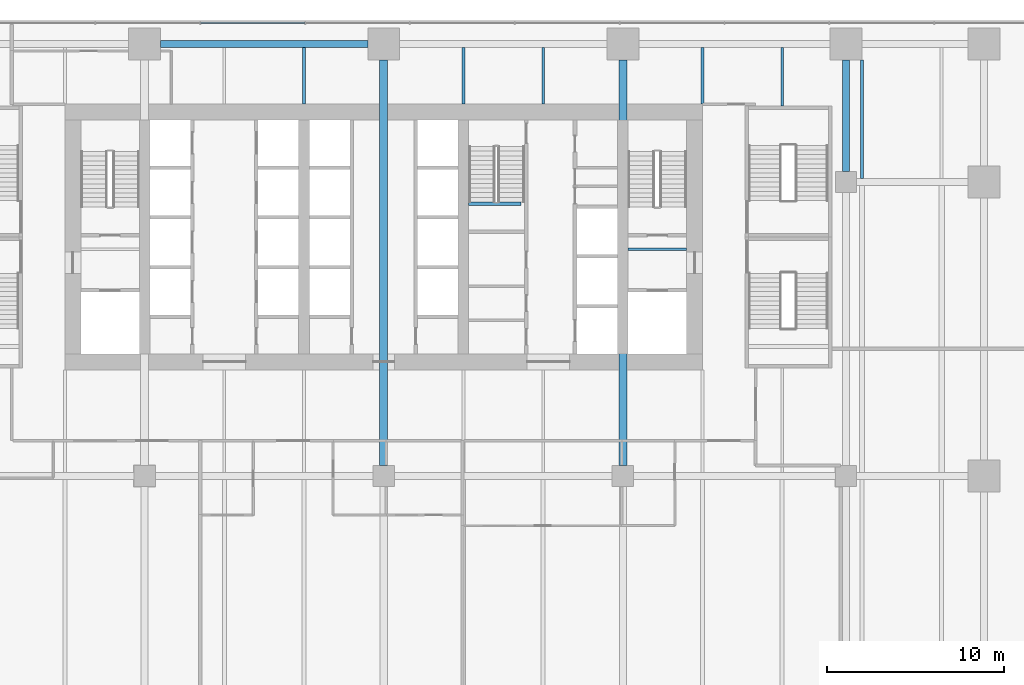
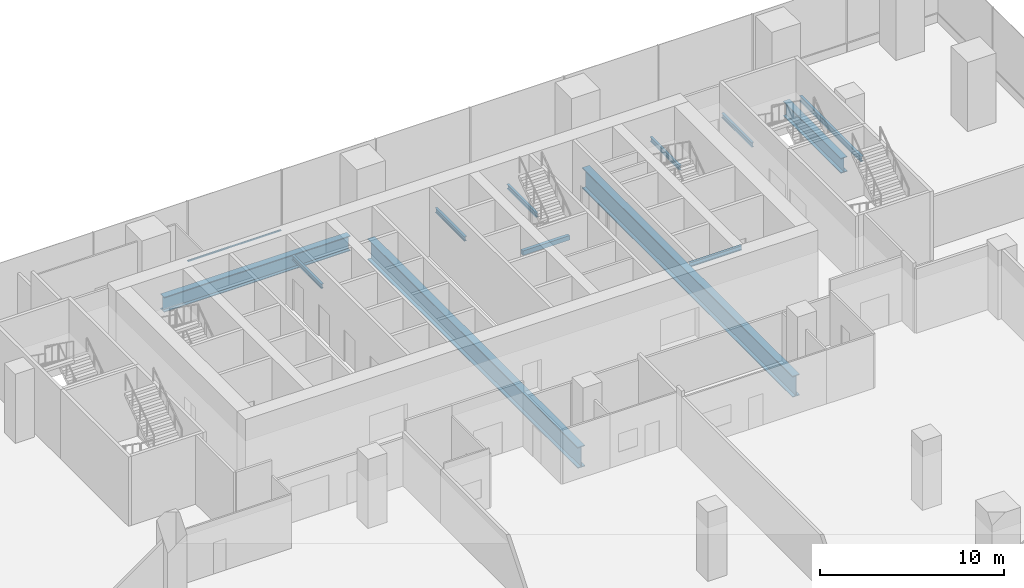
# One storey, part 12 of 28: 12 beams, 1 member, 1 element without a shape of its own.
"""IFC4 building model written with IfcOpenShell, lengths in metres."""

from ifc_helpers import new_model, si_unit, direction, frame, origin, origin_2d, place, context, subcontext, project, spatial, rectangle, i_section, extrude, material, layer, layer_set, material_profile, profile_set, type_object, element, aggregate, save


model = new_model("IFC4")

# Units and contexts
model_context = context("Model", 3, precision=1e-05, world=origin(), true_north=direction((0.0, 1.0)))
body_context = subcontext(model_context, "Body", "Model", "MODEL_VIEW")
ifc_project = project(units=[si_unit("LENGTHUNIT", "METRE"), si_unit("AREAUNIT", "SQUARE_METRE"), si_unit("VOLUMEUNIT", "CUBIC_METRE"), si_unit("PLANEANGLEUNIT", "RADIAN"), si_unit("MASSUNIT", "GRAM", prefix="KILO")], contexts=[model_context])

# Site, building, storey
site_placement = place(None, origin())
site = spatial("IfcSite", under=ifc_project, at=site_placement, CompositionType="ELEMENT")
building_placement = place(site_placement, origin())
building = spatial("IfcBuilding", under=site, at=building_placement, Name="Rattan Terrace Tower", CompositionType="ELEMENT")
storey_placement = place(building_placement, frame((0.0, 0.0, 17.39990234375)))
storey = spatial("IfcBuildingStorey", under=building, at=storey_placement, Name="L03", CompositionType="ELEMENT", Elevation=17.39990234375)

# Beams
ifc_material_1 = material(Name="Concrete C40/50", Category="concrete")
ifc_material_profile_1 = material_profile(ifc_material_1, rectangle(XDim=0.199951171875, YDim=0.300048828125, at=origin_2d()), Name="RC 200x300")
ifc_profile_set_1 = profile_set([ifc_material_profile_1], Name="Concrete C40/50")
beam_type_1 = type_object("IfcBeamType", Name="Core landing beam RC 200x300", PredefinedType="BEAM", material=ifc_profile_set_1)
beam_1_placement = place(storey_placement, frame((4.800048828125, 1.8798828125, 2.050048828125), z_axis=(1.0, 0.0, 0.0), x_axis=(0.0, 1.0, 0.0)))
element("IfcBeam", 1, at=beam_1_placement, inside=storey, type_object=beam_type_1, Name="st-S3-L03 landing 1 edge beam", PredefinedType="BEAM", context=body_context, shape_type="SweptSolid", body=[
    extrude(rectangle(XDim=0.199951171875, YDim=0.300048828125, at=origin_2d()), origin(), (0.0, 0.0, 1.0), 2.949951171875),
])
ifc_material_2 = material(Name="Steel S355", Category="steel")
ifc_material_profile_2 = material_profile(ifc_material_2, i_section(OverallWidth=0.14990234375, OverallDepth=0.300048828125, WebThickness=0.007080078125, FlangeThickness=0.0107421875, FilletRadius=0.014892578125, at=origin_2d()), Name="IPE 300")
ifc_profile_set_2 = profile_set([ifc_material_profile_2], Name="Steel S355")
beam_type_2 = type_object("IfcBeamType", Name="Frame floor beam IPE 300", PredefinedType="JOIST", material=ifc_profile_set_2)
for number, where, z_axis, x_axis, name in (
    (2, (13.800048828125, -0.695068359375, -0.349853515625), (1.0, 0.0, 0.0), (0.0, 1.0, 0.0), "bm-L03-002"),
    (3, (22.5, 7.39990234375, -0.349853515625), (0.0, 1.0, 0.0), (-1.0, 0.0, 0.0), "bm-L03-044"),
):
    element("IfcBeam", number, at=place(storey_placement, frame(where, z_axis=z_axis, x_axis=x_axis)), inside=storey, type_object=beam_type_2, Name=name, PredefinedType="JOIST", context=body_context, shape_type="SweptSolid", body=[
        extrude(i_section(OverallWidth=0.14990234375, OverallDepth=0.300048828125, WebThickness=0.007080078125, FlangeThickness=0.0107421875, FilletRadius=0.014892578125, at=origin_2d()), origin(), (0.0, 0.0, 1.0), 3.300048828125),
    ])
for number, where, z_axis, x_axis, name in (
    (4, (-4.5, 7.5, -0.349853515625), (0.0, 1.0, 0.0), (-1.0, 0.0, 0.0), "bm-L03-047"),
    (5, (4.5, 7.5, -0.349853515625), (0.0, 1.0, 0.0), (-1.0, 0.0, 0.0), "bm-L03-048"),
    (6, (9.0, 7.5, -0.349853515625), (0.0, 1.0, 0.0), (-1.0, 0.0, 0.0), "bm-L03-049"),
    (7, (18.0, 7.5, -0.349853515625), (0.0, 1.0, 0.0), (-1.0, 0.0, 0.0), "bm-L03-050"),
):
    element("IfcBeam", number, at=place(storey_placement, frame(where, z_axis=z_axis, x_axis=x_axis)), inside=storey, type_object=beam_type_2, Name=name, PredefinedType="JOIST", context=body_context, shape_type="SweptSolid", body=[
        extrude(i_section(OverallWidth=0.14990234375, OverallDepth=0.300048828125, WebThickness=0.007080078125, FlangeThickness=0.0107421875, FilletRadius=0.014892578125, at=origin_2d()), origin(), (0.0, 0.0, 1.0), 3.199951171875),
    ])
ifc_material_3 = material(Name="Steel S355", Category="steel")
ifc_material_profile_3 = material_profile(ifc_material_3, i_section(OverallWidth=0.169921875, OverallDepth=0.360107421875, WebThickness=0.008056640625, FlangeThickness=0.0126953125, FilletRadius=0.01806640625, at=origin_2d()), Name="IPE 360")
ifc_profile_set_3 = profile_set([ifc_material_profile_3], Name="Steel S355")
beam_type_3 = type_object("IfcBeamType", Name="Frame floor beam IPE 360", PredefinedType="JOIST", material=ifc_profile_set_3)
beam_2_placement = place(storey_placement, frame((27.0, 3.300048828125, -0.3798828125), z_axis=(0.0, 1.0, 0.0), x_axis=(-1.0, 0.0, 0.0)))
element("IfcBeam", 8, at=beam_2_placement, inside=storey, type_object=beam_type_3, Name="bm-L03-041", PredefinedType="JOIST", context=body_context, shape_type="SweptSolid", body=[
    extrude(i_section(OverallWidth=0.169921875, OverallDepth=0.360107421875, WebThickness=0.008056640625, FlangeThickness=0.0126953125, FilletRadius=0.01806640625, at=origin_2d()), origin(), (0.0, 0.0, 1.0), 6.699951171875),
])
ifc_material_4 = material(Name="Steel S460", Category="steel")
ifc_material_profile_4 = material_profile(ifc_material_4, i_section(OverallWidth=0.39990234375, OverallDepth=1.0, WebThickness=0.01806640625, FlangeThickness=0.044921875, at=origin_2d()), Name="PG 1000x400-18-45")
ifc_profile_set_4 = profile_set([ifc_material_profile_4], Name="Steel S460")
beam_type_4 = type_object("IfcBeamType", Name="Frame podium girder PG 1000x400-18-45", PredefinedType="USERDEFINED", material=ifc_profile_set_4)
beam_3_placement = place(storey_placement, frame((26.10009765625, 3.699951171875, -0.699951171875), z_axis=(0.0, 1.0, 0.0), x_axis=(-1.0, 0.0, 0.0)))
element("IfcBeam", 9, at=beam_3_placement, inside=storey, type_object=beam_type_4, Name="gdr-L03-043", ObjectType="PODIUM GIRDER", PredefinedType="USERDEFINED", context=body_context, shape_type="SweptSolid", body=[
    extrude(i_section(OverallWidth=0.39990234375, OverallDepth=1.0, WebThickness=0.01806640625, FlangeThickness=0.044921875, at=origin_2d()), origin(), (0.0, 0.0, 1.0), 6.300048828125),
])
beam_4_placement = place(storey_placement, frame((-12.60009765625, 10.89990234375, -0.699951171875), z_axis=(1.0, 0.0, 0.0), x_axis=(0.0, 1.0, 0.0)))
element("IfcBeam", 10, at=beam_4_placement, inside=storey, type_object=beam_type_4, Name="gdr-L03-048", ObjectType="PODIUM GIRDER", PredefinedType="USERDEFINED", context=body_context, shape_type="SweptSolid", body=[
    extrude(i_section(OverallWidth=0.39990234375, OverallDepth=1.0, WebThickness=0.01806640625, FlangeThickness=0.044921875, at=origin_2d()), origin(), (0.0, 0.0, 1.0), 11.7001953125),
])
ifc_material_5 = material(Name="Steel S460", Category="steel")
ifc_material_profile_5 = material_profile(ifc_material_5, i_section(OverallWidth=0.449951171875, OverallDepth=1.39990234375, WebThickness=0.02197265625, FlangeThickness=0.054931640625, at=origin_2d()), Name="PG 1400x450-22-55")
ifc_profile_set_5 = profile_set([ifc_material_profile_5], Name="Steel S460")
beam_type_5 = type_object("IfcBeamType", Name="Frame podium girder PG 1400x450-22-55", PredefinedType="USERDEFINED", material=ifc_profile_set_5)
for number, where, z_axis, x_axis, name in (
    (11, (0.0, -12.89990234375, -0.89990234375), (0.0, 1.0, 0.0), (-1.0, 0.0, 0.0), "gdr-L03-035"),
    (12, (13.5, -12.89990234375, -0.89990234375), (0.0, 1.0, 0.0), (-1.0, 0.0, 0.0), "gdr-L03-036"),
):
    element("IfcBeam", number, at=place(storey_placement, frame(where, z_axis=z_axis, x_axis=x_axis)), inside=storey, type_object=beam_type_5, Name=name, ObjectType="PODIUM GIRDER", PredefinedType="USERDEFINED", context=body_context, shape_type="SweptSolid", body=[
        extrude(i_section(OverallWidth=0.449951171875, OverallDepth=1.39990234375, WebThickness=0.02197265625, FlangeThickness=0.054931640625, at=origin_2d()), origin(), (0.0, 0.0, 1.0), 22.89990234375),
    ])

# Curtain wall, member
ifc_material_6 = material(Name="Aluminium and glass", Category="aluminium")
ifc_layer = layer(ifc_material_6, 0.1201171875)
ifc_layer_set = layer_set([ifc_layer], Name="Station Storefront Curtain Wall")
curtain_wall_type = type_object("IfcCurtainWallType", Name="Station Storefront Curtain Wall", PredefinedType="NOTDEFINED", material=ifc_layer_set)
curtain_wall_placement = place(storey_placement, origin())
curtain_wall = element("IfcCurtainWall", 13, at=curtain_wall_placement, inside=storey, type_object=curtain_wall_type, Name="Storefront curtain wall L03-2", PredefinedType="NOTDEFINED")
ifc_material_7 = material(Name="Aluminium", Category="aluminium")
ifc_material_profile_6 = material_profile(ifc_material_7, rectangle(XDim=0.10009765625, YDim=0.050048828125, at=origin_2d()), Name="Aluminium 100x50")
ifc_profile_set_6 = profile_set([ifc_material_profile_6], Name="Aluminium")
member_type = type_object("IfcMemberType", Name="Storefront CW Transom 100x50", PredefinedType="USERDEFINED", material=ifc_profile_set_6)
member_placement = place(storey_placement, frame((-4.465087890625, 12.080078125, 0.60009765625), z_axis=(-1.0, 0.0, 0.0), x_axis=(0.0, -1.0, 0.0)))
member = element("IfcMember", 14, at=member_placement, type_object=member_type, Name="Transom cwl-L03-002.8", ObjectType="TRANSOM", PredefinedType="USERDEFINED", context=body_context, shape_type="SweptSolid", body=[
    extrude(rectangle(XDim=0.10009765625, YDim=0.050048828125, at=origin_2d()), origin(), (0.0, 0.0, 1.0), 5.869873046875),
])
aggregate(curtain_wall, [member])

save(model, "model.ifc")
